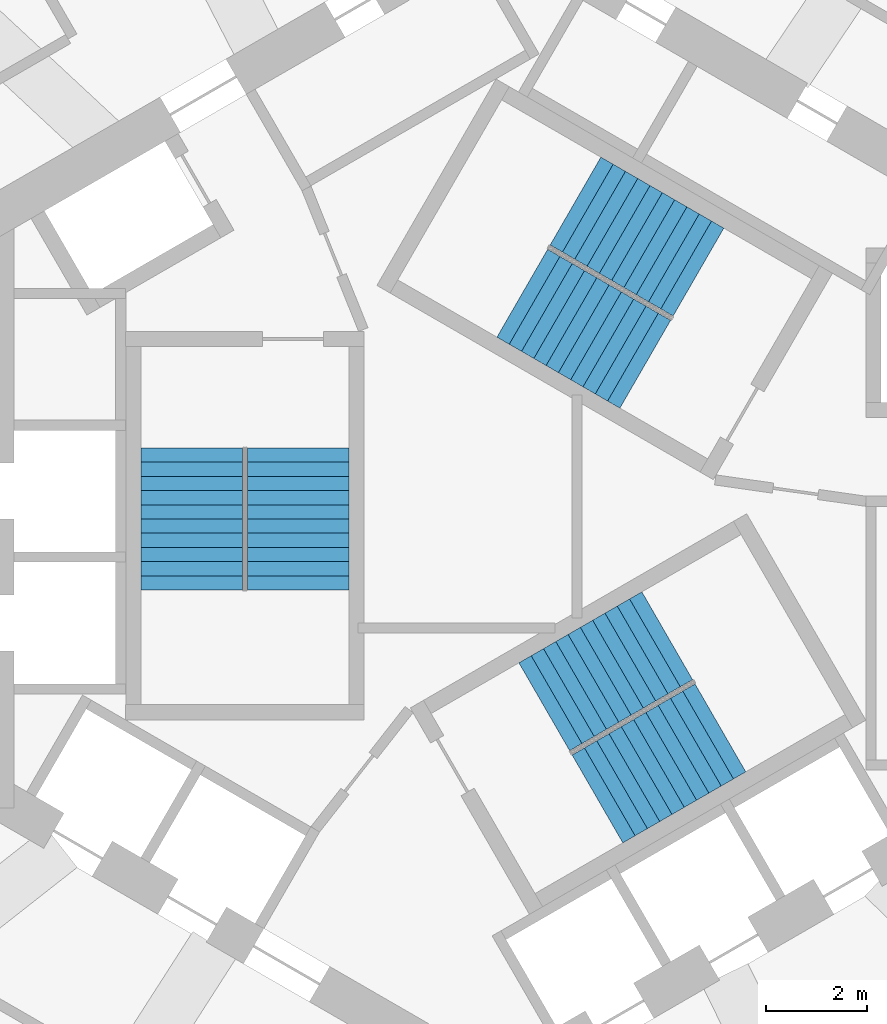
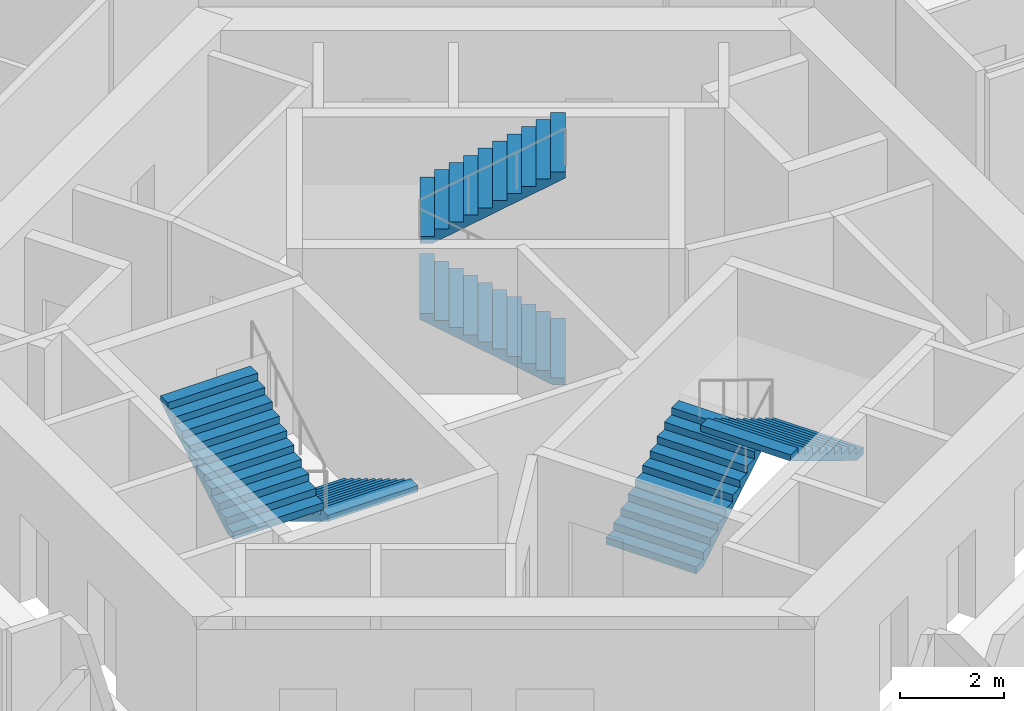
# One storey, part 9 of 11: 6 stair flights, 3 elements without a shape of their own.
"""IFC4 building model written with IfcOpenShell, lengths in metres."""

from ifc_helpers import new_model, si_unit, direction, frame, origin, place, context, subcontext, project, spatial, triangles, source, transform, mapped, material, type_object, element, aggregate, save


model = new_model("IFC4")

# Units and contexts
model_context = context("Model", 3, precision=1e-05, world=origin(), true_north=direction((0.0, 1.0)))
body_context = subcontext(model_context, "Body", "Model", "MODEL_VIEW")
ifc_project = project(units=[si_unit("LENGTHUNIT", "METRE"), si_unit("AREAUNIT", "SQUARE_METRE"), si_unit("VOLUMEUNIT", "CUBIC_METRE"), si_unit("PLANEANGLEUNIT", "RADIAN"), si_unit("MASSUNIT", "GRAM", prefix="KILO")], contexts=[model_context])

# Site, building, storey
site_placement = place(None, origin())
site = spatial("IfcSite", under=ifc_project, at=site_placement, CompositionType="ELEMENT")
building_placement = place(site_placement, origin())
building = spatial("IfcBuilding", under=site, at=building_placement, Name="Vanh Sen Convention Tower", CompositionType="ELEMENT")
storey_placement = place(building_placement, frame((0.0, 0.0, 225.39990234375)))
storey = spatial("IfcBuildingStorey", under=building, at=storey_placement, Name="L55", CompositionType="ELEMENT", Elevation=225.39990234375)

# Stair, stair flights
ifc_material_1 = material(Name="Concrete C50/60", Category="concrete")
stair_type_1 = type_object("IfcStairType", Name="Exit stair ST1 22 risers at 168.2", PredefinedType="HALF_TURN_STAIR", material=ifc_material_1)
stair_1_placement = place(storey_placement, origin())
stair_1 = element("IfcStair", 1, at=stair_1_placement, inside=storey, type_object=stair_type_1, Name="Exit stair ST1 L55", PredefinedType="HALF_TURN_STAIR")
ifc_material_2 = material(Name="Concrete C40/50", Category="concrete")
stair_flight_type = type_object("IfcStairFlightType", Name="Stair flight 2000", PredefinedType="STRAIGHT", material=ifc_material_2)
shared_shape = source(origin(), body_context, "Body", "Tessellation", [
    triangles([(0.24267578125, 1.0, 0.0), (0.0, 1.0, 0.0), (0.0, 1.0, 0.168212890625), (0.280029296875, 1.0, 0.168212890625), (0.280029296875, 1.0, 0.33642578125), (0.56005859375, 1.0, 0.33642578125), (0.56005859375, 1.0, 0.504638671875), (0.840087890625, 1.0, 0.504638671875), (0.840087890625, 1.0, 0.672607421875), (1.1201171875, 1.0, 0.672607421875), (1.1201171875, 1.0, 0.8408203125), (1.39990234375, 1.0, 0.8408203125), (1.39990234375, 1.0, 1.009033203125), (1.679931640625, 1.0, 1.009033203125), (1.679931640625, 1.0, 1.17724609375), (1.9599609375, 1.0, 1.17724609375), (1.9599609375, 1.0, 1.345458984375), (2.239990234375, 1.0, 1.345458984375), (2.239990234375, 1.0, 1.513671875), (2.52001953125, 1.0, 1.513671875), (2.52001953125, 1.0, 1.681884765625), (2.800048828125, 1.0, 1.681884765625), (2.800048828125, 1.0, 1.535888671875), (0.24267578125, -1.0, 0.0), (0.0, -1.0, 0.0), (0.0, -1.0, 0.168212890625), (0.280029296875, -1.0, 0.168212890625), (0.280029296875, -1.0, 0.33642578125), (0.56005859375, -1.0, 0.33642578125), (0.56005859375, -1.0, 0.504638671875), (0.840087890625, -1.0, 0.504638671875), (0.840087890625, -1.0, 0.672607421875), (1.1201171875, -1.0, 0.672607421875), (1.1201171875, -1.0, 0.8408203125), (1.39990234375, -1.0, 0.8408203125), (1.39990234375, -1.0, 1.009033203125), (1.679931640625, -1.0, 1.009033203125), (1.679931640625, -1.0, 1.17724609375), (1.9599609375, -1.0, 1.17724609375), (1.9599609375, -1.0, 1.345458984375), (2.239990234375, -1.0, 1.345458984375), (2.239990234375, -1.0, 1.513671875), (2.52001953125, -1.0, 1.513671875), (2.52001953125, -1.0, 1.681884765625), (2.800048828125, -1.0, 1.681884765625), (2.800048828125, -1.0, 1.535888671875), (0.0, 0.0400390625, 0.0), (0.0, 0.0390625, 0.0), (0.0, 0.0380859375, 0.0), (0.0, 0.037109375, 0.0), (0.0, 0.035888671875, 0.0), (0.0, 0.034912109375, 0.0), (0.0, 0.033935546875, 0.0), (0.0, 0.032958984375, 0.0), (0.0, 0.031982421875, 0.0), (0.0, 0.031005859375, 0.0), (0.0, 0.030029296875, 0.0), (0.0, 0.029052734375, 0.0), (0.0, 0.028076171875, 0.0), (0.0, 0.027099609375, 0.0), (0.0, 0.02587890625, 0.0), (0.0, 0.02490234375, 0.0), (0.0, 0.02392578125, 0.0), (0.0, 0.02294921875, 0.0), (0.0, 0.02197265625, 0.0), (0.0, 0.02099609375, 0.0), (0.0, 0.02001953125, 0.0), (0.0, 0.01904296875, 0.0), (0.0, 0.01806640625, 0.0), (0.0, 0.01708984375, 0.0), (0.0, 0.01611328125, 0.0), (0.0, 0.014892578125, 0.0), (0.0, 0.013916015625, 0.0), (0.0, 0.012939453125, 0.0), (0.0, 0.011962890625, 0.0), (0.0, 0.010986328125, 0.0), (0.0, 0.010009765625, 0.0), (0.0, 0.009033203125, 0.0), (0.0, 0.008056640625, 0.0), (0.0, 0.007080078125, 0.0), (0.0, 0.006103515625, 0.0), (0.0, 0.0048828125, 0.0), (0.0, 0.00390625, 0.0), (0.0, 0.0029296875, 0.0), (0.0, 0.001953125, 0.0), (0.0, 0.0009765625, 0.0), (0.0, 0.0, 0.0), (0.0, -0.0009765625, 0.0), (0.0, -0.001953125, 0.0), (0.0, -0.0029296875, 0.0), (0.0, -0.00390625, 0.0), (0.0, -0.0048828125, 0.0), (0.0, -0.006103515625, 0.0), (0.0, -0.007080078125, 0.0), (0.0, -0.008056640625, 0.0), (0.0, -0.009033203125, 0.0), (0.0, -0.010009765625, 0.0), (0.0, -0.010986328125, 0.0), (0.0, -0.011962890625, 0.0), (0.0, -0.012939453125, 0.0), (0.0, -0.013916015625, 0.0), (0.0, -0.014892578125, 0.0), (0.0, -0.01611328125, 0.0), (0.0, -0.01708984375, 0.0), (0.0, -0.01806640625, 0.0), (0.0, -0.01904296875, 0.0), (0.0, -0.02001953125, 0.0), (0.0, -0.02099609375, 0.0), (0.0, -0.02197265625, 0.0), (0.0, -0.02294921875, 0.0), (0.0, -0.02392578125, 0.0), (0.0, -0.02490234375, 0.0), (0.0, -0.02587890625, 0.0), (0.0, -0.027099609375, 0.0), (0.0, -0.028076171875, 0.0), (0.0, -0.029052734375, 0.0), (0.0, -0.030029296875, 0.0), (0.0, -0.031005859375, 0.0), (0.0, -0.031982421875, 0.0), (0.0, -0.032958984375, 0.0), (0.0, -0.033935546875, 0.0), (0.0, -0.034912109375, 0.0), (0.0, -0.035888671875, 0.0), (0.0, -0.037109375, 0.0), (0.0, -0.0380859375, 0.0), (0.0, -0.0390625, 0.0), (0.0, -0.0400390625, 0.0), (0.0, 0.0400390625, 0.168212890625), (0.0, 0.0390625, 0.168212890625), (0.0, 0.0380859375, 0.168212890625), (0.0, 0.037109375, 0.168212890625), (0.0, 0.035888671875, 0.168212890625), (0.0, 0.034912109375, 0.168212890625), (0.0, 0.033935546875, 0.168212890625), (0.0, 0.032958984375, 0.168212890625), (0.0, 0.031982421875, 0.168212890625), (0.0, 0.031005859375, 0.168212890625), (0.0, 0.030029296875, 0.168212890625), (0.0, 0.029052734375, 0.168212890625), (0.0, 0.028076171875, 0.168212890625), (0.0, 0.027099609375, 0.168212890625), (0.0, 0.02587890625, 0.168212890625), (0.0, 0.02490234375, 0.168212890625), (0.0, 0.02392578125, 0.168212890625), (0.0, 0.02294921875, 0.168212890625), (0.0, 0.02197265625, 0.168212890625), (0.0, 0.02099609375, 0.168212890625), (0.0, 0.02001953125, 0.168212890625), (0.0, 0.01904296875, 0.168212890625), (0.0, 0.01806640625, 0.168212890625), (0.0, 0.01708984375, 0.168212890625), (0.0, 0.01611328125, 0.168212890625), (0.0, 0.014892578125, 0.168212890625), (0.0, 0.013916015625, 0.168212890625), (0.0, 0.012939453125, 0.168212890625), (0.0, 0.011962890625, 0.168212890625), (0.0, 0.010986328125, 0.168212890625), (0.0, 0.010009765625, 0.168212890625), (0.0, 0.009033203125, 0.168212890625), (0.0, 0.008056640625, 0.168212890625), (0.0, 0.007080078125, 0.168212890625), (0.0, 0.006103515625, 0.168212890625), (0.0, 0.0048828125, 0.168212890625), (0.0, 0.00390625, 0.168212890625), (0.0, 0.0029296875, 0.168212890625), (0.0, 0.001953125, 0.168212890625), (0.0, 0.0009765625, 0.168212890625), (0.0, 0.0, 0.168212890625), (0.0, -0.0009765625, 0.168212890625), (0.0, -0.001953125, 0.168212890625), (0.0, -0.0029296875, 0.168212890625), (0.0, -0.00390625, 0.168212890625), (0.0, -0.0048828125, 0.168212890625), (0.0, -0.006103515625, 0.168212890625), (0.0, -0.007080078125, 0.168212890625), (0.0, -0.008056640625, 0.168212890625), (0.0, -0.009033203125, 0.168212890625), (0.0, -0.010009765625, 0.168212890625), (0.0, -0.010986328125, 0.168212890625), (0.0, -0.011962890625, 0.168212890625), (0.0, -0.012939453125, 0.168212890625), (0.0, -0.013916015625, 0.168212890625), (0.0, -0.014892578125, 0.168212890625), (0.0, -0.01611328125, 0.168212890625), (0.0, -0.01708984375, 0.168212890625), (0.0, -0.01806640625, 0.168212890625), (0.0, -0.01904296875, 0.168212890625), (0.0, -0.02001953125, 0.168212890625), (0.0, -0.02099609375, 0.168212890625), (0.0, -0.02197265625, 0.168212890625), (0.0, -0.02294921875, 0.168212890625), (0.0, -0.02392578125, 0.168212890625), (0.0, -0.02490234375, 0.168212890625), (0.0, -0.02587890625, 0.168212890625), (0.0, -0.027099609375, 0.168212890625), (0.0, -0.028076171875, 0.168212890625), (0.0, -0.029052734375, 0.168212890625), (0.0, -0.030029296875, 0.168212890625), (0.0, -0.031005859375, 0.168212890625), (0.0, -0.031982421875, 0.168212890625), (0.0, -0.032958984375, 0.168212890625), (0.0, -0.033935546875, 0.168212890625), (0.0, -0.034912109375, 0.168212890625), (0.0, -0.035888671875, 0.168212890625), (0.0, -0.037109375, 0.168212890625), (0.0, -0.0380859375, 0.168212890625), (0.0, -0.0390625, 0.168212890625), (0.0, -0.0400390625, 0.168212890625), (0.280029296875, 0.0, 0.168212890625), (0.280029296875, 0.0, 0.33642578125), (0.56005859375, 0.0, 0.33642578125), (0.56005859375, 0.0, 0.504638671875), (0.840087890625, 0.0, 0.504638671875), (0.840087890625, 0.0, 0.672607421875), (1.1201171875, 0.0, 0.672607421875), (1.1201171875, 0.0, 0.8408203125), (1.39990234375, 0.0, 0.8408203125), (1.39990234375, 0.0, 1.009033203125), (1.679931640625, 0.0, 1.009033203125), (1.679931640625, 0.0, 1.17724609375), (1.9599609375, 0.0, 1.17724609375), (1.9599609375, 0.0, 1.345458984375), (2.239990234375, 0.0, 1.345458984375), (2.239990234375, 0.0, 1.513671875), (2.52001953125, 0.0, 1.513671875), (2.52001953125, 0.0, 1.681884765625), (2.800048828125, 0.0400390625, 1.681884765625), (2.800048828125, 0.0390625, 1.681884765625), (2.800048828125, 0.0380859375, 1.681884765625), (2.800048828125, 0.037109375, 1.681884765625), (2.800048828125, 0.035888671875, 1.681884765625), (2.800048828125, 0.034912109375, 1.681884765625), (2.800048828125, 0.033935546875, 1.681884765625), (2.800048828125, 0.032958984375, 1.681884765625), (2.800048828125, 0.031982421875, 1.681884765625), (2.800048828125, 0.031005859375, 1.681884765625), (2.800048828125, 0.030029296875, 1.681884765625), (2.800048828125, 0.029052734375, 1.681884765625), (2.800048828125, 0.028076171875, 1.681884765625), (2.800048828125, 0.027099609375, 1.681884765625), (2.800048828125, 0.02587890625, 1.681884765625), (2.800048828125, 0.02490234375, 1.681884765625), (2.800048828125, 0.02392578125, 1.681884765625), (2.800048828125, 0.02294921875, 1.681884765625), (2.800048828125, 0.02197265625, 1.681884765625), (2.800048828125, 0.02099609375, 1.681884765625), (2.800048828125, 0.02001953125, 1.681884765625), (2.800048828125, 0.01904296875, 1.681884765625), (2.800048828125, 0.01806640625, 1.681884765625), (2.800048828125, 0.01708984375, 1.681884765625), (2.800048828125, 0.01611328125, 1.681884765625), (2.800048828125, 0.014892578125, 1.681884765625), (2.800048828125, 0.013916015625, 1.681884765625), (2.800048828125, 0.012939453125, 1.681884765625), (2.800048828125, 0.011962890625, 1.681884765625), (2.800048828125, 0.010986328125, 1.681884765625), (2.800048828125, 0.010009765625, 1.681884765625), (2.800048828125, 0.009033203125, 1.681884765625), (2.800048828125, 0.008056640625, 1.681884765625), (2.800048828125, 0.007080078125, 1.681884765625), (2.800048828125, 0.006103515625, 1.681884765625), (2.800048828125, 0.0048828125, 1.681884765625), (2.800048828125, 0.00390625, 1.681884765625), (2.800048828125, 0.0029296875, 1.681884765625), (2.800048828125, 0.001953125, 1.681884765625), (2.800048828125, 0.0009765625, 1.681884765625), (2.800048828125, 0.0, 1.681884765625), (2.800048828125, -0.0009765625, 1.681884765625), (2.800048828125, -0.001953125, 1.681884765625), (2.800048828125, -0.0029296875, 1.681884765625), (2.800048828125, -0.00390625, 1.681884765625), (2.800048828125, -0.0048828125, 1.681884765625), (2.800048828125, -0.006103515625, 1.681884765625), (2.800048828125, -0.007080078125, 1.681884765625), (2.800048828125, -0.008056640625, 1.681884765625), (2.800048828125, -0.009033203125, 1.681884765625), (2.800048828125, -0.010009765625, 1.681884765625), (2.800048828125, -0.010986328125, 1.681884765625), (2.800048828125, -0.011962890625, 1.681884765625), (2.800048828125, -0.012939453125, 1.681884765625), (2.800048828125, -0.013916015625, 1.681884765625), (2.800048828125, -0.014892578125, 1.681884765625), (2.800048828125, -0.01611328125, 1.681884765625), (2.800048828125, -0.01708984375, 1.681884765625), (2.800048828125, -0.01806640625, 1.681884765625), (2.800048828125, -0.01904296875, 1.681884765625), (2.800048828125, -0.02001953125, 1.681884765625), (2.800048828125, -0.02099609375, 1.681884765625), (2.800048828125, -0.02197265625, 1.681884765625), (2.800048828125, -0.02294921875, 1.681884765625), (2.800048828125, -0.02392578125, 1.681884765625), (2.800048828125, -0.02490234375, 1.681884765625), (2.800048828125, -0.02587890625, 1.681884765625), (2.800048828125, -0.027099609375, 1.681884765625), (2.800048828125, -0.028076171875, 1.681884765625), (2.800048828125, -0.029052734375, 1.681884765625), (2.800048828125, -0.030029296875, 1.681884765625), (2.800048828125, -0.031005859375, 1.681884765625), (2.800048828125, -0.031982421875, 1.681884765625), (2.800048828125, -0.032958984375, 1.681884765625), (2.800048828125, -0.033935546875, 1.681884765625), (2.800048828125, -0.034912109375, 1.681884765625), (2.800048828125, -0.035888671875, 1.681884765625), (2.800048828125, -0.037109375, 1.681884765625), (2.800048828125, -0.0380859375, 1.681884765625), (2.800048828125, -0.0390625, 1.681884765625), (2.800048828125, -0.0400390625, 1.681884765625), (2.800048828125, 0.0400390625, 1.535888671875), (2.800048828125, 0.0390625, 1.535888671875), (2.800048828125, 0.0380859375, 1.535888671875), (2.800048828125, 0.037109375, 1.535888671875), (2.800048828125, 0.035888671875, 1.535888671875), (2.800048828125, 0.034912109375, 1.535888671875), (2.800048828125, 0.033935546875, 1.535888671875), (2.800048828125, 0.032958984375, 1.535888671875), (2.800048828125, 0.031982421875, 1.535888671875), (2.800048828125, 0.031005859375, 1.535888671875), (2.800048828125, 0.030029296875, 1.535888671875), (2.800048828125, 0.029052734375, 1.535888671875), (2.800048828125, 0.028076171875, 1.535888671875), (2.800048828125, 0.027099609375, 1.535888671875), (2.800048828125, 0.02587890625, 1.535888671875), (2.800048828125, 0.02490234375, 1.535888671875), (2.800048828125, 0.02392578125, 1.535888671875), (2.800048828125, 0.02294921875, 1.535888671875), (2.800048828125, 0.02197265625, 1.535888671875), (2.800048828125, 0.02099609375, 1.535888671875), (2.800048828125, 0.02001953125, 1.535888671875), (2.800048828125, 0.01904296875, 1.535888671875), (2.800048828125, 0.01806640625, 1.535888671875), (2.800048828125, 0.01708984375, 1.535888671875), (2.800048828125, 0.01611328125, 1.535888671875), (2.800048828125, 0.014892578125, 1.535888671875), (2.800048828125, 0.013916015625, 1.535888671875), (2.800048828125, 0.012939453125, 1.535888671875), (2.800048828125, 0.011962890625, 1.535888671875), (2.800048828125, 0.010986328125, 1.535888671875), (2.800048828125, 0.010009765625, 1.535888671875), (2.800048828125, 0.009033203125, 1.535888671875), (2.800048828125, 0.008056640625, 1.535888671875), (2.800048828125, 0.007080078125, 1.535888671875), (2.800048828125, 0.006103515625, 1.535888671875), (2.800048828125, 0.0048828125, 1.535888671875), (2.800048828125, 0.00390625, 1.535888671875), (2.800048828125, 0.0029296875, 1.535888671875), (2.800048828125, 0.001953125, 1.535888671875), (2.800048828125, 0.0009765625, 1.535888671875), (2.800048828125, 0.0, 1.535888671875), (2.800048828125, -0.0009765625, 1.535888671875), (2.800048828125, -0.001953125, 1.535888671875), (2.800048828125, -0.0029296875, 1.535888671875), (2.800048828125, -0.00390625, 1.535888671875), (2.800048828125, -0.0048828125, 1.535888671875), (2.800048828125, -0.006103515625, 1.535888671875), (2.800048828125, -0.007080078125, 1.535888671875), (2.800048828125, -0.008056640625, 1.535888671875), (2.800048828125, -0.009033203125, 1.535888671875), (2.800048828125, -0.010009765625, 1.535888671875), (2.800048828125, -0.010986328125, 1.535888671875), (2.800048828125, -0.011962890625, 1.535888671875), (2.800048828125, -0.012939453125, 1.535888671875), (2.800048828125, -0.013916015625, 1.535888671875), (2.800048828125, -0.014892578125, 1.535888671875), (2.800048828125, -0.01611328125, 1.535888671875), (2.800048828125, -0.01708984375, 1.535888671875), (2.800048828125, -0.01806640625, 1.535888671875), (2.800048828125, -0.01904296875, 1.535888671875), (2.800048828125, -0.02001953125, 1.535888671875), (2.800048828125, -0.02099609375, 1.535888671875), (2.800048828125, -0.02197265625, 1.535888671875), (2.800048828125, -0.02294921875, 1.535888671875), (2.800048828125, -0.02392578125, 1.535888671875), (2.800048828125, -0.02490234375, 1.535888671875), (2.800048828125, -0.02587890625, 1.535888671875), (2.800048828125, -0.027099609375, 1.535888671875), (2.800048828125, -0.028076171875, 1.535888671875), (2.800048828125, -0.029052734375, 1.535888671875), (2.800048828125, -0.030029296875, 1.535888671875), (2.800048828125, -0.031005859375, 1.535888671875), (2.800048828125, -0.031982421875, 1.535888671875), (2.800048828125, -0.032958984375, 1.535888671875), (2.800048828125, -0.033935546875, 1.535888671875), (2.800048828125, -0.034912109375, 1.535888671875), (2.800048828125, -0.035888671875, 1.535888671875), (2.800048828125, -0.037109375, 1.535888671875), (2.800048828125, -0.0380859375, 1.535888671875), (2.800048828125, -0.0390625, 1.535888671875), (2.800048828125, -0.0400390625, 1.535888671875), (0.24267578125, 0.0, 0.0)], [[1, 2, 3], [1, 3, 4], [4, 5, 6], [1, 4, 6], [6, 7, 8], [1, 6, 8], [8, 9, 10], [1, 8, 10], [10, 11, 12], [1, 10, 12], [12, 13, 14], [1, 12, 14], [14, 15, 16], [1, 14, 16], [16, 17, 18], [1, 16, 18], [18, 19, 20], [1, 18, 20], [20, 21, 22], [1, 20, 22], [22, 23, 1], [24, 26, 25], [24, 27, 26], [27, 29, 28], [24, 29, 27], [29, 31, 30], [24, 31, 29], [31, 33, 32], [24, 33, 31], [33, 35, 34], [24, 35, 33], [35, 37, 36], [24, 37, 35], [37, 39, 38], [24, 39, 37], [39, 41, 40], [24, 41, 39], [41, 43, 42], [24, 43, 41], [43, 45, 44], [24, 45, 43], [45, 24, 46], [2, 128, 3], [2, 47, 128], [47, 129, 128], [47, 48, 129], [48, 130, 129], [48, 49, 130], [49, 131, 130], [49, 50, 131], [50, 132, 131], [50, 51, 132], [51, 133, 132], [51, 52, 133], [52, 134, 133], [52, 53, 134], [53, 135, 134], [53, 54, 135], [54, 136, 135], [54, 55, 136], [55, 137, 136], [55, 56, 137], [56, 138, 137], [56, 57, 138], [57, 139, 138], [57, 58, 139], [58, 140, 139], [58, 59, 140], [59, 141, 140], [59, 60, 141], [60, 142, 141], [60, 61, 142], [61, 143, 142], [61, 62, 143], [62, 144, 143], [62, 63, 144], [63, 145, 144], [63, 64, 145], [64, 146, 145], [64, 65, 146], [65, 147, 146], [65, 66, 147], [66, 148, 147], [66, 67, 148], [67, 149, 148], [67, 68, 149], [68, 150, 149], [68, 69, 150], [69, 151, 150], [69, 70, 151], [70, 152, 151], [70, 71, 152], [71, 153, 152], [71, 72, 153], [72, 154, 153], [72, 73, 154], [73, 155, 154], [73, 74, 155], [74, 156, 155], [74, 75, 156], [75, 157, 156], [75, 76, 157], [76, 158, 157], [76, 77, 158], [77, 159, 158], [77, 78, 159], [78, 160, 159], [78, 79, 160], [79, 161, 160], [79, 80, 161], [80, 162, 161], [80, 81, 162], [81, 163, 162], [81, 82, 163], [82, 164, 163], [82, 83, 164], [83, 165, 164], [83, 84, 165], [84, 166, 165], [84, 85, 166], [85, 167, 166], [85, 86, 167], [86, 168, 167], [86, 87, 168], [87, 88, 168], [168, 88, 169], [88, 89, 169], [169, 89, 170], [89, 90, 170], [170, 90, 171], [90, 91, 171], [171, 91, 172], [91, 92, 172], [172, 92, 173], [92, 93, 173], [173, 93, 174], [93, 94, 174], [174, 94, 175], [94, 95, 175], [175, 95, 176], [95, 96, 176], [176, 96, 177], [96, 97, 177], [177, 97, 178], [97, 98, 178], [178, 98, 179], [98, 99, 179], [179, 99, 180], [99, 100, 180], [180, 100, 181], [100, 101, 181], [181, 101, 182], [101, 102, 182], [182, 102, 183], [102, 103, 183], [183, 103, 184], [103, 104, 184], [184, 104, 185], [104, 105, 185], [185, 105, 186], [105, 106, 186], [186, 106, 187], [106, 107, 187], [187, 107, 188], [107, 108, 188], [188, 108, 189], [108, 109, 189], [189, 109, 190], [109, 110, 190], [190, 110, 191], [110, 111, 191], [191, 111, 192], [111, 112, 192], [192, 112, 193], [112, 113, 193], [193, 113, 194], [113, 114, 194], [194, 114, 195], [114, 115, 195], [195, 115, 196], [115, 116, 196], [196, 116, 197], [116, 117, 197], [197, 117, 198], [117, 118, 198], [198, 118, 199], [118, 119, 199], [199, 119, 200], [119, 120, 200], [200, 120, 201], [120, 121, 201], [201, 121, 202], [121, 122, 202], [202, 122, 203], [122, 123, 203], [203, 123, 204], [123, 124, 204], [204, 124, 205], [124, 125, 205], [205, 125, 206], [125, 126, 206], [206, 126, 207], [126, 127, 207], [207, 127, 208], [127, 25, 208], [208, 25, 26], [4, 3, 128], [4, 128, 129], [4, 129, 130], [4, 130, 131], [4, 131, 132], [4, 132, 133], [4, 133, 134], [4, 134, 135], [4, 135, 136], [4, 136, 137], [4, 137, 138], [4, 138, 139], [4, 139, 140], [4, 140, 141], [4, 141, 142], [4, 142, 143], [4, 143, 144], [4, 144, 145], [4, 145, 146], [4, 146, 147], [4, 147, 148], [4, 148, 149], [4, 149, 150], [4, 150, 151], [4, 151, 152], [4, 152, 153], [4, 153, 154], [4, 154, 155], [4, 155, 156], [4, 156, 157], [4, 157, 158], [4, 158, 159], [4, 159, 160], [4, 160, 161], [4, 161, 162], [4, 162, 163], [4, 163, 164], [4, 164, 165], [4, 165, 166], [4, 166, 167], [4, 167, 168], [27, 168, 169], [27, 169, 170], [27, 170, 171], [27, 171, 172], [27, 172, 173], [27, 173, 174], [27, 174, 175], [27, 175, 176], [27, 176, 177], [27, 177, 178], [27, 178, 179], [27, 179, 180], [27, 180, 181], [27, 181, 182], [27, 182, 183], [27, 183, 184], [27, 184, 185], [27, 185, 186], [27, 186, 187], [27, 187, 188], [27, 188, 189], [27, 189, 190], [27, 190, 191], [27, 191, 192], [27, 192, 193], [27, 193, 194], [27, 194, 195], [27, 195, 196], [27, 196, 197], [27, 197, 198], [27, 198, 199], [27, 199, 200], [27, 200, 201], [27, 201, 202], [27, 202, 203], [27, 203, 204], [27, 204, 205], [27, 205, 206], [27, 206, 207], [27, 207, 208], [27, 208, 26], [4, 168, 209], [27, 209, 168], [4, 210, 5], [4, 209, 210], [209, 27, 210], [210, 27, 28], [5, 211, 6], [5, 210, 211], [210, 28, 211], [211, 28, 29], [6, 212, 7], [6, 211, 212], [211, 29, 212], [212, 29, 30], [7, 213, 8], [7, 212, 213], [212, 30, 213], [213, 30, 31], [8, 214, 9], [8, 213, 214], [213, 31, 214], [214, 31, 32], [9, 215, 10], [9, 214, 215], [214, 32, 215], [215, 32, 33], [10, 216, 11], [10, 215, 216], [215, 33, 216], [216, 33, 34], [11, 217, 12], [11, 216, 217], [216, 34, 217], [217, 34, 35], [12, 218, 13], [12, 217, 218], [217, 35, 218], [218, 35, 36], [13, 219, 14], [13, 218, 219], [218, 36, 219], [219, 36, 37], [14, 220, 15], [14, 219, 220], [219, 37, 220], [220, 37, 38], [15, 221, 16], [15, 220, 221], [220, 38, 221], [221, 38, 39], [16, 222, 17], [16, 221, 222], [221, 39, 222], [222, 39, 40], [17, 223, 18], [17, 222, 223], [222, 40, 223], [223, 40, 41], [18, 224, 19], [18, 223, 224], [223, 41, 224], [224, 41, 42], [19, 225, 20], [19, 224, 225], [224, 42, 225], [225, 42, 43], [20, 226, 21], [20, 225, 226], [225, 43, 226], [226, 43, 44], [21, 227, 22], [21, 228, 227], [21, 229, 228], [21, 230, 229], [21, 231, 230], [21, 232, 231], [21, 233, 232], [21, 234, 233], [21, 235, 234], [21, 236, 235], [21, 237, 236], [21, 238, 237], [21, 239, 238], [21, 240, 239], [21, 241, 240], [21, 242, 241], [21, 243, 242], [21, 244, 243], [21, 245, 244], [21, 246, 245], [21, 247, 246], [21, 248, 247], [21, 249, 248], [21, 250, 249], [21, 251, 250], [21, 252, 251], [21, 253, 252], [21, 254, 253], [21, 255, 254], [21, 256, 255], [21, 257, 256], [21, 258, 257], [21, 259, 258], [21, 260, 259], [21, 261, 260], [21, 262, 261], [21, 263, 262], [21, 264, 263], [21, 265, 264], [21, 266, 265], [21, 267, 266], [44, 268, 267], [44, 269, 268], [44, 270, 269], [44, 271, 270], [44, 272, 271], [44, 273, 272], [44, 274, 273], [44, 275, 274], [44, 276, 275], [44, 277, 276], [44, 278, 277], [44, 279, 278], [44, 280, 279], [44, 281, 280], [44, 282, 281], [44, 283, 282], [44, 284, 283], [44, 285, 284], [44, 286, 285], [44, 287, 286], [44, 288, 287], [44, 289, 288], [44, 290, 289], [44, 291, 290], [44, 292, 291], [44, 293, 292], [44, 294, 293], [44, 295, 294], [44, 296, 295], [44, 297, 296], [44, 298, 297], [44, 299, 298], [44, 300, 299], [44, 301, 300], [44, 302, 301], [44, 303, 302], [44, 304, 303], [44, 305, 304], [44, 306, 305], [44, 307, 306], [44, 45, 307], [21, 226, 267], [44, 267, 226], [22, 308, 23], [22, 227, 308], [227, 309, 308], [227, 228, 309], [228, 310, 309], [228, 229, 310], [229, 311, 310], [229, 230, 311], [230, 312, 311], [230, 231, 312], [231, 313, 312], [231, 232, 313], [232, 314, 313], [232, 233, 314], [233, 315, 314], [233, 234, 315], [234, 316, 315], [234, 235, 316], [235, 317, 316], [235, 236, 317], [236, 318, 317], [236, 237, 318], [237, 319, 318], [237, 238, 319], [238, 320, 319], [238, 239, 320], [239, 321, 320], [239, 240, 321], [240, 322, 321], [240, 241, 322], [241, 323, 322], [241, 242, 323], [242, 324, 323], [242, 243, 324], [243, 325, 324], [243, 244, 325], [244, 326, 325], [244, 245, 326], [245, 327, 326], [245, 246, 327], [246, 328, 327], [246, 247, 328], [247, 329, 328], [247, 248, 329], [248, 330, 329], [248, 249, 330], [249, 331, 330], [249, 250, 331], [250, 332, 331], [250, 251, 332], [251, 333, 332], [251, 252, 333], [252, 334, 333], [252, 253, 334], [253, 335, 334], [253, 254, 335], [254, 336, 335], [254, 255, 336], [255, 337, 336], [255, 256, 337], [256, 338, 337], [256, 257, 338], [257, 339, 338], [257, 258, 339], [258, 340, 339], [258, 259, 340], [259, 341, 340], [259, 260, 341], [260, 342, 341], [260, 261, 342], [261, 343, 342], [261, 262, 343], [262, 344, 343], [262, 263, 344], [263, 345, 344], [263, 264, 345], [264, 346, 345], [264, 265, 346], [265, 347, 346], [265, 266, 347], [266, 348, 347], [266, 267, 348], [267, 268, 348], [348, 268, 349], [268, 269, 349], [349, 269, 350], [269, 270, 350], [350, 270, 351], [270, 271, 351], [351, 271, 352], [271, 272, 352], [352, 272, 353], [272, 273, 353], [353, 273, 354], [273, 274, 354], [354, 274, 355], [274, 275, 355], [355, 275, 356], [275, 276, 356], [356, 276, 357], [276, 277, 357], [357, 277, 358], [277, 278, 358], [358, 278, 359], [278, 279, 359], [359, 279, 360], [279, 280, 360], [360, 280, 361], [280, 281, 361], [361, 281, 362], [281, 282, 362], [362, 282, 363], [282, 283, 363], [363, 283, 364], [283, 284, 364], [364, 284, 365], [284, 285, 365], [365, 285, 366], [285, 286, 366], [366, 286, 367], [286, 287, 367], [367, 287, 368], [287, 288, 368], [368, 288, 369], [288, 289, 369], [369, 289, 370], [289, 290, 370], [370, 290, 371], [290, 291, 371], [371, 291, 372], [291, 292, 372], [372, 292, 373], [292, 293, 373], [373, 293, 374], [293, 294, 374], [374, 294, 375], [294, 295, 375], [375, 295, 376], [295, 296, 376], [376, 296, 377], [296, 297, 377], [377, 297, 378], [297, 298, 378], [378, 298, 379], [298, 299, 379], [379, 299, 380], [299, 300, 380], [380, 300, 381], [300, 301, 381], [381, 301, 382], [301, 302, 382], [382, 302, 383], [302, 303, 383], [383, 303, 384], [303, 304, 384], [384, 304, 385], [304, 305, 385], [385, 305, 386], [305, 306, 386], [386, 306, 387], [306, 307, 387], [387, 307, 388], [307, 45, 388], [388, 45, 46], [1, 23, 308], [1, 308, 309], [1, 309, 310], [1, 310, 311], [1, 311, 312], [1, 312, 313], [1, 313, 314], [1, 314, 315], [1, 315, 316], [1, 316, 317], [1, 317, 318], [1, 318, 319], [1, 319, 320], [1, 320, 321], [1, 321, 322], [1, 322, 323], [1, 323, 324], [1, 324, 325], [1, 325, 326], [1, 326, 327], [1, 327, 328], [1, 328, 329], [1, 329, 330], [1, 330, 331], [1, 331, 332], [1, 332, 333], [1, 333, 334], [1, 334, 335], [1, 335, 336], [1, 336, 337], [1, 337, 338], [1, 338, 339], [1, 339, 340], [1, 340, 341], [1, 341, 342], [1, 342, 343], [1, 343, 344], [1, 344, 345], [1, 345, 346], [1, 346, 347], [1, 347, 348], [24, 348, 349], [24, 349, 350], [24, 350, 351], [24, 351, 352], [24, 352, 353], [24, 353, 354], [24, 354, 355], [24, 355, 356], [24, 356, 357], [24, 357, 358], [24, 358, 359], [24, 359, 360], [24, 360, 361], [24, 361, 362], [24, 362, 363], [24, 363, 364], [24, 364, 365], [24, 365, 366], [24, 366, 367], [24, 367, 368], [24, 368, 369], [24, 369, 370], [24, 370, 371], [24, 371, 372], [24, 372, 373], [24, 373, 374], [24, 374, 375], [24, 375, 376], [24, 376, 377], [24, 377, 378], [24, 378, 379], [24, 379, 380], [24, 380, 381], [24, 381, 382], [24, 382, 383], [24, 383, 384], [24, 384, 385], [24, 385, 386], [24, 386, 387], [24, 387, 388], [24, 388, 46], [1, 348, 389], [24, 389, 348], [1, 47, 2], [1, 48, 47], [1, 49, 48], [1, 50, 49], [1, 51, 50], [1, 52, 51], [1, 53, 52], [1, 54, 53], [1, 55, 54], [1, 56, 55], [1, 57, 56], [1, 58, 57], [1, 59, 58], [1, 60, 59], [1, 61, 60], [1, 62, 61], [1, 63, 62], [1, 64, 63], [1, 65, 64], [1, 66, 65], [1, 67, 66], [1, 68, 67], [1, 69, 68], [1, 70, 69], [1, 71, 70], [1, 72, 71], [1, 73, 72], [1, 74, 73], [1, 75, 74], [1, 76, 75], [1, 77, 76], [1, 78, 77], [1, 79, 78], [1, 80, 79], [1, 81, 80], [1, 82, 81], [1, 83, 82], [1, 84, 83], [1, 85, 84], [1, 86, 85], [1, 87, 86], [24, 88, 87], [24, 89, 88], [24, 90, 89], [24, 91, 90], [24, 92, 91], [24, 93, 92], [24, 94, 93], [24, 95, 94], [24, 96, 95], [24, 97, 96], [24, 98, 97], [24, 99, 98], [24, 100, 99], [24, 101, 100], [24, 102, 101], [24, 103, 102], [24, 104, 103], [24, 105, 104], [24, 106, 105], [24, 107, 106], [24, 108, 107], [24, 109, 108], [24, 110, 109], [24, 111, 110], [24, 112, 111], [24, 113, 112], [24, 114, 113], [24, 115, 114], [24, 116, 115], [24, 117, 116], [24, 118, 117], [24, 119, 118], [24, 120, 119], [24, 121, 120], [24, 122, 121], [24, 123, 122], [24, 124, 123], [24, 125, 124], [24, 126, 125], [24, 127, 126], [24, 25, 127], [1, 389, 87], [24, 87, 389]], closed=True),
])
stair_flight_1_placement = place(storey_placement, frame((2.94580078125, 2.802490234375, 0.0), z_axis=(0.0, 0.0, 1.0), x_axis=(-0.866025403784, 0.5, 0.0)))
stair_flight_1 = element("IfcStairFlight", 2, at=stair_flight_1_placement, type_object=stair_flight_type, Name="ST1 flight 1", NumberOfRisers=11, NumberOfTreads=10, PredefinedType="STRAIGHT", RiserHeight=0.168181818, TreadLength=0.28, context=body_context, shape_type="MappedRepresentation", body=[
    mapped(shared_shape, transform((0.0, 0.0, 0.0))),
])
stair_flight_2_placement = place(storey_placement, frame((1.571044921875, 6.021240234375, 1.85009765625), z_axis=(0.0, 0.0, 1.0), x_axis=(0.866025403784, -0.5, 0.0)))
stair_flight_2 = element("IfcStairFlight", 3, at=stair_flight_2_placement, type_object=stair_flight_type, Name="ST1 flight 2", NumberOfRisers=11, NumberOfTreads=10, PredefinedType="STRAIGHT", RiserHeight=0.168181818, TreadLength=0.28, context=body_context, shape_type="MappedRepresentation", body=[
    mapped(shared_shape, transform((0.0, 0.0, 0.0))),
])
aggregate(stair_1, [stair_flight_1, stair_flight_2])

stair_type_2 = type_object("IfcStairType", Name="Exit stair ST2 22 risers at 168.2", PredefinedType="HALF_TURN_STAIR", material=ifc_material_1)
stair_2_placement = place(storey_placement, origin())
stair_2 = element("IfcStair", 4, at=stair_2_placement, inside=storey, type_object=stair_type_2, Name="Exit stair ST2 L55", PredefinedType="HALF_TURN_STAIR")
stair_flight_3_placement = place(storey_placement, frame((-3.89990234375, 1.14990234375, 0.0), z_axis=(0.0, 0.0, 1.0), x_axis=(0.0, -1.0, 0.0)))
stair_flight_3 = element("IfcStairFlight", 5, at=stair_flight_3_placement, type_object=stair_flight_type, Name="ST2 flight 1", NumberOfRisers=11, NumberOfTreads=10, PredefinedType="STRAIGHT", RiserHeight=0.168181818, TreadLength=0.28, context=body_context, shape_type="MappedRepresentation", body=[
    mapped(shared_shape, transform((0.0, 0.0, 0.0))),
])
stair_flight_4_placement = place(storey_placement, frame((-6.0, -1.64990234375, 1.85009765625), z_axis=(0.0, 0.0, 1.0), x_axis=(0.0, 1.0, 0.0)))
stair_flight_4 = element("IfcStairFlight", 6, at=stair_flight_4_placement, type_object=stair_flight_type, Name="ST2 flight 2", NumberOfRisers=11, NumberOfTreads=10, PredefinedType="STRAIGHT", RiserHeight=0.168181818, TreadLength=0.28, context=body_context, shape_type="MappedRepresentation", body=[
    mapped(shared_shape, transform((0.0, 0.0, 0.0))),
])
aggregate(stair_2, [stair_flight_3, stair_flight_4])

stair_type_3 = type_object("IfcStairType", Name="Exit stair ST3 22 risers at 168.2", PredefinedType="HALF_TURN_STAIR", material=ifc_material_1)
stair_3_placement = place(storey_placement, origin())
stair_3 = element("IfcStair", 7, at=stair_3_placement, inside=storey, type_object=stair_type_3, Name="Exit stair ST3 L55", PredefinedType="HALF_TURN_STAIR")
stair_flight_5_placement = place(storey_placement, frame((0.9541015625, -3.952392578125, 0.0), z_axis=(0.0, 0.0, 1.0), x_axis=(0.866025403784, 0.5, 0.0)))
stair_flight_5 = element("IfcStairFlight", 8, at=stair_flight_5_placement, type_object=stair_flight_type, Name="ST3 flight 1", NumberOfRisers=11, NumberOfTreads=10, PredefinedType="STRAIGHT", RiserHeight=0.168181818, TreadLength=0.28, context=body_context, shape_type="MappedRepresentation", body=[
    mapped(shared_shape, transform((0.0, 0.0, 0.0))),
])
stair_flight_6_placement = place(storey_placement, frame((4.428955078125, -4.37109375, 1.85009765625), z_axis=(0.0, 0.0, 1.0), x_axis=(-0.866025403784, -0.5, 0.0)))
stair_flight_6 = element("IfcStairFlight", 9, at=stair_flight_6_placement, type_object=stair_flight_type, Name="ST3 flight 2", NumberOfRisers=11, NumberOfTreads=10, PredefinedType="STRAIGHT", RiserHeight=0.168181818, TreadLength=0.28, context=body_context, shape_type="MappedRepresentation", body=[
    mapped(shared_shape, transform((0.0, 0.0, 0.0))),
])
aggregate(stair_3, [stair_flight_5, stair_flight_6])

save(model, "model.ifc")
